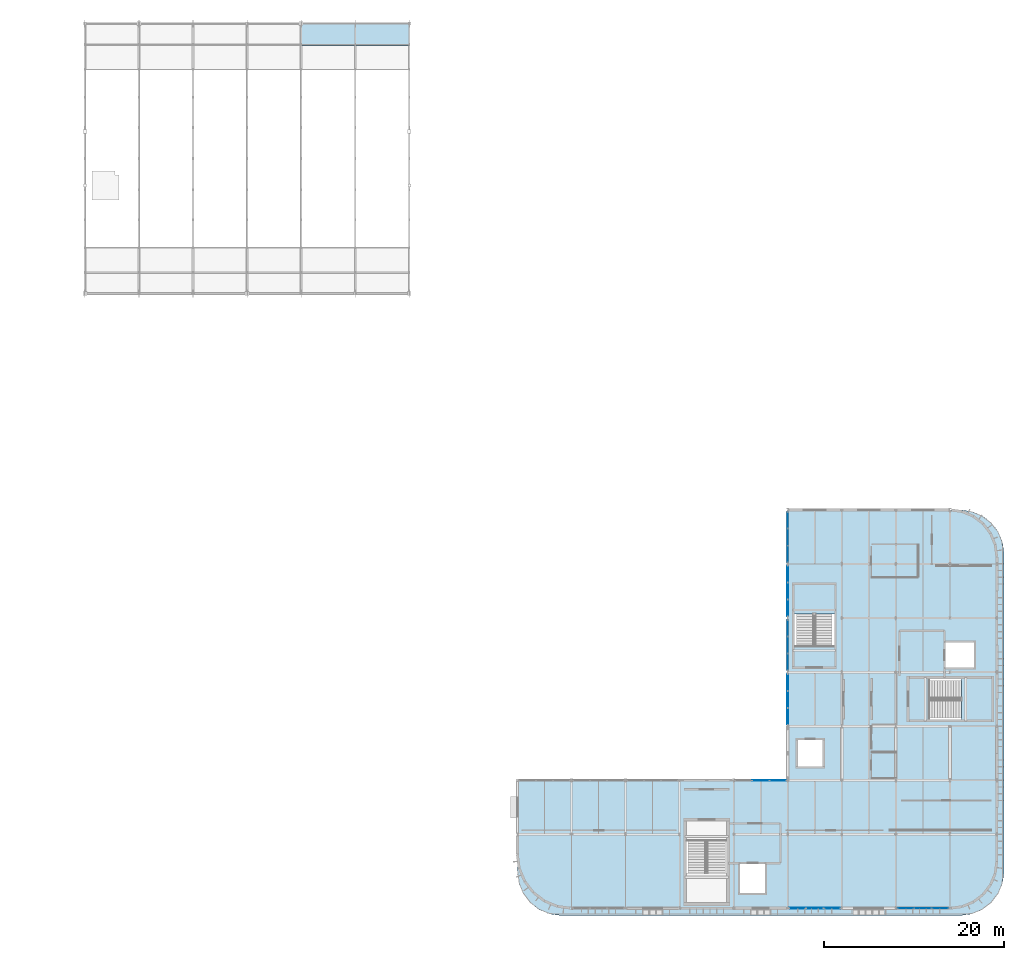
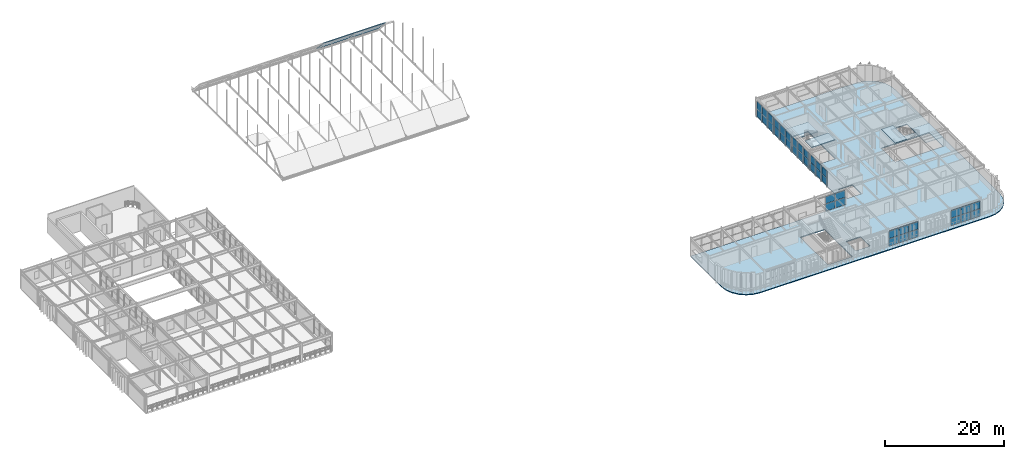
# One storey, part 45 of 63: 40 plates, 7 slabs, 9 elements without a shape of their own.
"""IFC4 building model written with IfcOpenShell, lengths in metres."""

from ifc_helpers import new_model, si_unit, direction, frame, origin, origin_2d, place, context, subcontext, project, spatial, polyline, rectangle, outline, extrude, material, layer, layer_set, type_object, element, aggregate, save


model = new_model("IFC4")

# Units and contexts
model_context = context("Model", 3, precision=1e-05, world=origin(), true_north=direction((0.0, 1.0)))
body_context = subcontext(model_context, "Body", "Model", "MODEL_VIEW")
ifc_project = project(units=[si_unit("LENGTHUNIT", "METRE"), si_unit("AREAUNIT", "SQUARE_METRE"), si_unit("VOLUMEUNIT", "CUBIC_METRE"), si_unit("PLANEANGLEUNIT", "RADIAN"), si_unit("MASSUNIT", "GRAM", prefix="KILO")], contexts=[model_context])

# Site, building, storey
site_placement = place(None, origin())
site = spatial("IfcSite", under=ifc_project, at=site_placement, CompositionType="ELEMENT")
building_placement = place(site_placement, origin())
building = spatial("IfcBuilding", under=site, at=building_placement, Name="Varnakota Square Police Headquarters", CompositionType="ELEMENT")
storey_placement = place(building_placement, frame((0.0, 0.0, 22.199951171875)))
storey = spatial("IfcBuildingStorey", under=building, at=storey_placement, Name="L05", CompositionType="ELEMENT", Elevation=22.199951171875)

# Curtain wall, plates
ifc_material_1 = material(Name="Anodised Aluminium Framing", Category="aluminium")
curtain_wall_type_1 = type_object("IfcCurtainWallType", Name="CW-SYS-E", PredefinedType="NOTDEFINED", material=ifc_material_1)
curtain_wall_1_placement = place(storey_placement, origin())
curtain_wall_1 = element("IfcCurtainWall", 1, at=curtain_wall_1_placement, inside=storey, type_object=curtain_wall_type_1, Name="Unitised curtain wall CWG-L05-107", PredefinedType="NOTDEFINED")
ifc_material_2 = material(Name="Solar-Control Laminated Double Glazing", Category="glass")
ifc_layer_1 = layer(ifc_material_2, 0.028076171875, Name="Solar-Control Laminated Double Glazing")
ifc_layer_set_1 = layer_set([ifc_layer_1], Name="Solar-Control Laminated Double Glazing")
plate_type_1 = type_object("IfcPlateType", Name="CWP-GLZ-28", PredefinedType="CURTAIN_PANEL", material=ifc_layer_set_1)
plate_1_placement = place(storey_placement, frame((138.0, 28.140380859375, 0.06494140625), z_axis=(0.0, 0.0, 1.0), x_axis=(0.0, 1.0, 0.0)))
plate_1 = element("IfcPlate", 2, at=plate_1_placement, type_object=plate_type_1, Name="CWG-L05-107 panel 1.1", PredefinedType="CURTAIN_PANEL", context=body_context, shape_type="SweptSolid", body=[
    extrude(rectangle(XDim=1.790771484375, YDim=0.028076171875, at=origin_2d()), origin(), (0.0, 0.0, 1.0), 1.492431640625),
])
plate_2_placement = place(storey_placement, frame((138.0, 30.012451171875, 0.06494140625), z_axis=(0.0, 0.0, 1.0), x_axis=(0.0, 1.0, 0.0)))
plate_2 = element("IfcPlate", 3, at=plate_2_placement, type_object=plate_type_1, Name="CWG-L05-107 panel 2.1", PredefinedType="CURTAIN_PANEL", context=body_context, shape_type="SweptSolid", body=[
    extrude(rectangle(XDim=1.8232421875, YDim=0.028076171875, at=origin_2d()), origin(), (0.0, 0.0, 1.0), 1.492431640625),
])
plate_3_placement = place(storey_placement, frame((138.0, 31.884521484375, 0.06494140625), z_axis=(0.0, 0.0, 1.0), x_axis=(0.0, 1.0, 0.0)))
plate_3 = element("IfcPlate", 4, at=plate_3_placement, type_object=plate_type_1, Name="CWG-L05-107 panel 3.1", PredefinedType="CURTAIN_PANEL", context=body_context, shape_type="SweptSolid", body=[
    extrude(rectangle(XDim=1.790771484375, YDim=0.028076171875, at=origin_2d()), origin(), (0.0, 0.0, 1.0), 1.492431640625),
])

curtain_wall_type_2 = type_object("IfcCurtainWallType", Name="CW-SYS-C", PredefinedType="NOTDEFINED", material=ifc_material_1)
curtain_wall_2_placement = place(storey_placement, origin())
curtain_wall_2 = element("IfcCurtainWall", 5, at=curtain_wall_2_placement, inside=storey, type_object=curtain_wall_type_2, Name="Unitised curtain wall CWG-L05-100", PredefinedType="NOTDEFINED")
ifc_material_3 = material(Name="Acoustic Laminated Double Glazing", Category="glass")
ifc_layer_2 = layer(ifc_material_3, 0.031982421875, Name="Acoustic Laminated Double Glazing")
ifc_layer_set_2 = layer_set([ifc_layer_2], Name="Acoustic Laminated Double Glazing")
plate_type_2 = type_object("IfcPlateType", Name="CWP-GLZ-32", PredefinedType="CURTAIN_PANEL", material=ifc_layer_set_2)
plate_4_placement = place(storey_placement, frame((139.10302734375, 0.800048828125, 0.06494140625), z_axis=(0.0, 0.0, 1.0), x_axis=(1.0, 0.0, 0.0)))
plate_4 = element("IfcPlate", 6, at=plate_4_placement, type_object=plate_type_2, Name="CWG-L05-100 panel 1.1", PredefinedType="CURTAIN_PANEL", context=body_context, shape_type="SweptSolid", body=[
    extrude(rectangle(XDim=1.81591796875, YDim=0.031982421875, at=origin_2d()), origin(), (0.0, 0.0, 1.0), 1.517578125),
])
plate_5_placement = place(storey_placement, frame((141.0, 0.800048828125, 0.06494140625), z_axis=(0.0, 0.0, 1.0), x_axis=(1.0, 0.0, 0.0)))
plate_5 = element("IfcPlate", 7, at=plate_5_placement, type_object=plate_type_2, Name="CWG-L05-100 panel 2.1", PredefinedType="CURTAIN_PANEL", context=body_context, shape_type="SweptSolid", body=[
    extrude(rectangle(XDim=1.848388671875, YDim=0.031982421875, at=origin_2d()), origin(), (0.0, 0.0, 1.0), 1.517578125),
])
plate_6_placement = place(storey_placement, frame((142.89697265625, 0.800048828125, 0.06494140625), z_axis=(0.0, 0.0, 1.0), x_axis=(1.0, 0.0, 0.0)))
plate_6 = element("IfcPlate", 8, at=plate_6_placement, type_object=plate_type_2, Name="CWG-L05-100 panel 3.1", PredefinedType="CURTAIN_PANEL", context=body_context, shape_type="SweptSolid", body=[
    extrude(rectangle(XDim=1.81591796875, YDim=0.031982421875, at=origin_2d()), origin(), (0.0, 0.0, 1.0), 1.517578125),
])

curtain_wall_3_placement = place(storey_placement, origin())
curtain_wall_3 = element("IfcCurtainWall", 9, at=curtain_wall_3_placement, inside=storey, type_object=curtain_wall_type_1, Name="Unitised curtain wall CWG-L05-108", PredefinedType="NOTDEFINED")
plate_7_placement = place(storey_placement, frame((138.0, 34.123779296875, 0.06494140625), z_axis=(0.0, 0.0, 1.0), x_axis=(0.0, 1.0, 0.0)))
plate_7 = element("IfcPlate", 10, at=plate_7_placement, type_object=plate_type_2, Name="CWG-L05-108 panel 1.1", PredefinedType="CURTAIN_PANEL", context=body_context, shape_type="SweptSolid", body=[
    extrude(rectangle(XDim=1.8076171875, YDim=0.031982421875, at=origin_2d()), origin(), (0.0, 0.0, 1.0), 1.492431640625),
])
plate_8_placement = place(storey_placement, frame((138.0, 36.012451171875, 0.06494140625), z_axis=(0.0, 0.0, 1.0), x_axis=(0.0, 1.0, 0.0)))
plate_8 = element("IfcPlate", 11, at=plate_8_placement, type_object=plate_type_2, Name="CWG-L05-108 panel 2.1", PredefinedType="CURTAIN_PANEL", context=body_context, shape_type="SweptSolid", body=[
    extrude(rectangle(XDim=1.840087890625, YDim=0.031982421875, at=origin_2d()), origin(), (0.0, 0.0, 1.0), 1.492431640625),
])
plate_9_placement = place(storey_placement, frame((138.0, 37.9013671875, 0.06494140625), z_axis=(0.0, 0.0, 1.0), x_axis=(0.0, 1.0, 0.0)))
plate_9 = element("IfcPlate", 12, at=plate_9_placement, type_object=plate_type_2, Name="CWG-L05-108 panel 3.1", PredefinedType="CURTAIN_PANEL", context=body_context, shape_type="SweptSolid", body=[
    extrude(rectangle(XDim=1.8076171875, YDim=0.031982421875, at=origin_2d()), origin(), (0.0, 0.0, 1.0), 1.492431640625),
])

curtain_wall_4_placement = place(storey_placement, origin())
curtain_wall_4 = element("IfcCurtainWall", 13, at=curtain_wall_4_placement, inside=storey, type_object=curtain_wall_type_2, Name="Unitised curtain wall CWG-L05-101", PredefinedType="NOTDEFINED")
ifc_material_4 = material(Name="Blast-Resistant Laminated Glazing", Category="glass")
ifc_layer_3 = layer(ifc_material_4, 0.035888671875, Name="Blast-Resistant Laminated Glazing")
ifc_layer_set_3 = layer_set([ifc_layer_3], Name="Blast-Resistant Laminated Glazing")
plate_type_3 = type_object("IfcPlateType", Name="CWP-GLZ-36", PredefinedType="CURTAIN_PANEL", material=ifc_layer_set_3)
plate_10_placement = place(storey_placement, frame((151.10302734375, 0.800048828125, 0.06494140625), z_axis=(0.0, 0.0, 1.0), x_axis=(1.0, 0.0, 0.0)))
plate_10 = element("IfcPlate", 14, at=plate_10_placement, type_object=plate_type_3, Name="CWG-L05-101 panel 1.1", PredefinedType="CURTAIN_PANEL", context=body_context, shape_type="SweptSolid", body=[
    extrude(rectangle(XDim=1.81591796875, YDim=0.035888671875, at=origin_2d()), origin(), (0.0, 0.0, 1.0), 1.517578125),
])
plate_11_placement = place(storey_placement, frame((153.0, 0.800048828125, 0.06494140625), z_axis=(0.0, 0.0, 1.0), x_axis=(1.0, 0.0, 0.0)))
plate_11 = element("IfcPlate", 15, at=plate_11_placement, type_object=plate_type_3, Name="CWG-L05-101 panel 2.1", PredefinedType="CURTAIN_PANEL", context=body_context, shape_type="SweptSolid", body=[
    extrude(rectangle(XDim=1.848388671875, YDim=0.035888671875, at=origin_2d()), origin(), (0.0, 0.0, 1.0), 1.517578125),
])
plate_12_placement = place(storey_placement, frame((154.89697265625, 0.800048828125, 0.06494140625), z_axis=(0.0, 0.0, 1.0), x_axis=(1.0, 0.0, 0.0)))
plate_12 = element("IfcPlate", 16, at=plate_12_placement, type_object=plate_type_3, Name="CWG-L05-101 panel 3.1", PredefinedType="CURTAIN_PANEL", context=body_context, shape_type="SweptSolid", body=[
    extrude(rectangle(XDim=1.81591796875, YDim=0.035888671875, at=origin_2d()), origin(), (0.0, 0.0, 1.0), 1.517578125),
])

curtain_wall_type_3 = type_object("IfcCurtainWallType", Name="CW-SYS-D", PredefinedType="NOTDEFINED", material=ifc_material_1)
curtain_wall_5_placement = place(storey_placement, origin())
curtain_wall_5 = element("IfcCurtainWall", 17, at=curtain_wall_5_placement, inside=storey, type_object=curtain_wall_type_3, Name="Unitised curtain wall CWG-L05-105", PredefinedType="NOTDEFINED")
plate_13_placement = place(storey_placement, frame((135.0, 15.0, 0.06494140625), z_axis=(0.0, 0.0, 1.0), x_axis=(1.0, 0.0, 0.0)))
plate_13 = element("IfcPlate", 18, at=plate_13_placement, type_object=plate_type_3, Name="CWG-L05-105 panel 2.1", PredefinedType="CURTAIN_PANEL", context=body_context, shape_type="SweptSolid", body=[
    extrude(rectangle(XDim=1.848388671875, YDim=0.035888671875, at=origin_2d()), origin(), (0.0, 0.0, 1.0), 1.467529296875),
])
plate_14_placement = place(storey_placement, frame((136.89697265625, 15.0, 0.06494140625), z_axis=(0.0, 0.0, 1.0), x_axis=(1.0, 0.0, 0.0)))
plate_14 = element("IfcPlate", 19, at=plate_14_placement, type_object=plate_type_3, Name="CWG-L05-105 panel 3.1", PredefinedType="CURTAIN_PANEL", context=body_context, shape_type="SweptSolid", body=[
    extrude(rectangle(XDim=1.81591796875, YDim=0.035888671875, at=origin_2d()), origin(), (0.0, 0.0, 1.0), 1.467529296875),
])

curtain_wall_6_placement = place(storey_placement, origin())
curtain_wall_6 = element("IfcCurtainWall", 20, at=curtain_wall_6_placement, inside=storey, type_object=curtain_wall_type_1, Name="Unitised curtain wall CWG-L05-109", PredefinedType="NOTDEFINED")
plate_15_placement = place(storey_placement, frame((138.0, 40.094482421875, 0.06494140625), z_axis=(0.0, 0.0, 1.0), x_axis=(0.0, 1.0, 0.0)))
plate_15 = element("IfcPlate", 21, at=plate_15_placement, type_object=plate_type_3, Name="CWG-L05-109 panel 1.1", PredefinedType="CURTAIN_PANEL", context=body_context, shape_type="SweptSolid", body=[
    extrude(rectangle(XDim=1.799072265625, YDim=0.035888671875, at=origin_2d()), origin(), (0.0, 0.0, 1.0), 1.517578125),
])
plate_16_placement = place(storey_placement, frame((138.0, 41.97509765625, 0.06494140625), z_axis=(0.0, 0.0, 1.0), x_axis=(0.0, 1.0, 0.0)))
plate_16 = element("IfcPlate", 22, at=plate_16_placement, type_object=plate_type_3, Name="CWG-L05-109 panel 2.1", PredefinedType="CURTAIN_PANEL", context=body_context, shape_type="SweptSolid", body=[
    extrude(rectangle(XDim=1.831787109375, YDim=0.035888671875, at=origin_2d()), origin(), (0.0, 0.0, 1.0), 1.517578125),
])
plate_17_placement = place(storey_placement, frame((138.0, 43.85546875, 0.06494140625), z_axis=(0.0, 0.0, 1.0), x_axis=(0.0, 1.0, 0.0)))
plate_17 = element("IfcPlate", 23, at=plate_17_placement, type_object=plate_type_3, Name="CWG-L05-109 panel 3.1", PredefinedType="CURTAIN_PANEL", context=body_context, shape_type="SweptSolid", body=[
    extrude(rectangle(XDim=1.799072265625, YDim=0.035888671875, at=origin_2d()), origin(), (0.0, 0.0, 1.0), 1.517578125),
])

curtain_wall_7_placement = place(storey_placement, origin())
curtain_wall_7 = element("IfcCurtainWall", 24, at=curtain_wall_7_placement, inside=storey, type_object=curtain_wall_type_1, Name="Unitised curtain wall CWG-L05-106", PredefinedType="NOTDEFINED")
ifc_material_5 = material(Name="Triple-Glazed Clean-Lab Vision Unit", Category="aluminium")
ifc_layer_4 = layer(ifc_material_5, 0.0419921875, Name="Triple-Glazed Clean-Lab Vision Unit")
ifc_layer_set_4 = layer_set([ifc_layer_4], Name="Triple-Glazed Clean-Lab Vision Unit")
plate_type_4 = type_object("IfcPlateType", Name="CWP-GLZ-42", PredefinedType="CURTAIN_PANEL", material=ifc_layer_set_4)
plate_18_placement = place(storey_placement, frame((138.0, 22.094482421875, 0.06494140625), z_axis=(0.0, 0.0, 1.0), x_axis=(0.0, 1.0, 0.0)))
plate_18 = element("IfcPlate", 25, at=plate_18_placement, type_object=plate_type_4, Name="CWG-L05-106 panel 1.1", PredefinedType="CURTAIN_PANEL", context=body_context, shape_type="SweptSolid", body=[
    extrude(rectangle(XDim=1.799072265625, YDim=0.0419921875, at=origin_2d()), origin(), (0.0, 0.0, 1.0), 1.492431640625),
])
plate_19_placement = place(storey_placement, frame((138.0, 23.97509765625, 0.06494140625), z_axis=(0.0, 0.0, 1.0), x_axis=(0.0, 1.0, 0.0)))
plate_19 = element("IfcPlate", 26, at=plate_19_placement, type_object=plate_type_4, Name="CWG-L05-106 panel 2.1", PredefinedType="CURTAIN_PANEL", context=body_context, shape_type="SweptSolid", body=[
    extrude(rectangle(XDim=1.831787109375, YDim=0.0419921875, at=origin_2d()), origin(), (0.0, 0.0, 1.0), 1.492431640625),
])
plate_20_placement = place(storey_placement, frame((138.0, 25.85546875, 0.06494140625), z_axis=(0.0, 0.0, 1.0), x_axis=(0.0, 1.0, 0.0)))
plate_20 = element("IfcPlate", 27, at=plate_20_placement, type_object=plate_type_4, Name="CWG-L05-106 panel 3.1", PredefinedType="CURTAIN_PANEL", context=body_context, shape_type="SweptSolid", body=[
    extrude(rectangle(XDim=1.799072265625, YDim=0.0419921875, at=origin_2d()), origin(), (0.0, 0.0, 1.0), 1.492431640625),
])

# Plate
ifc_material_6 = material(Name="Insulated Anodised Aluminium Spandrel Panel", Category="aluminium")
ifc_layer_5 = layer(ifc_material_6, 0.050048828125, Name="Insulated Anodised Aluminium Spandrel Panel")
ifc_layer_set_5 = layer_set([ifc_layer_5], Name="Insulated Anodised Aluminium Spandrel Panel")
plate_type_5 = type_object("IfcPlateType", Name="CWP-SPN-50", PredefinedType="CURTAIN_PANEL", material=ifc_layer_set_5)
plate_21_placement = place(storey_placement, frame((151.10302734375, 0.800048828125, 1.6474609375), z_axis=(0.0, 0.0, 1.0), x_axis=(1.0, 0.0, 0.0)))
plate_21 = element("IfcPlate", 28, at=plate_21_placement, type_object=plate_type_5, Name="CWG-L05-101 panel 1.2", PredefinedType="CURTAIN_PANEL", context=body_context, shape_type="SweptSolid", body=[
    extrude(rectangle(XDim=1.81591796875, YDim=0.050048828125, at=origin_2d()), origin(), (0.0, 0.0, 1.0), 1.517578125),
])

plate_22_placement = place(storey_placement, frame((153.0, 0.800048828125, 1.6474609375), z_axis=(0.0, 0.0, 1.0), x_axis=(1.0, 0.0, 0.0)))
plate_22 = element("IfcPlate", 29, at=plate_22_placement, type_object=plate_type_5, Name="CWG-L05-101 panel 2.2", PredefinedType="CURTAIN_PANEL", context=body_context, shape_type="SweptSolid", body=[
    extrude(rectangle(XDim=1.848388671875, YDim=0.050048828125, at=origin_2d()), origin(), (0.0, 0.0, 1.0), 1.517578125),
])

plate_23_placement = place(storey_placement, frame((154.89697265625, 0.800048828125, 1.6474609375), z_axis=(0.0, 0.0, 1.0), x_axis=(1.0, 0.0, 0.0)))
plate_23 = element("IfcPlate", 30, at=plate_23_placement, type_object=plate_type_5, Name="CWG-L05-101 panel 3.2", PredefinedType="CURTAIN_PANEL", context=body_context, shape_type="SweptSolid", body=[
    extrude(rectangle(XDim=1.81591796875, YDim=0.050048828125, at=origin_2d()), origin(), (0.0, 0.0, 1.0), 1.517578125),
])

aggregate(curtain_wall_4, [plate_10, plate_21, plate_11, plate_22, plate_12, plate_23])

plate_24_placement = place(storey_placement, frame((135.0, 15.0, 1.59765625), z_axis=(0.0, 0.0, 1.0), x_axis=(1.0, 0.0, 0.0)))
plate_24 = element("IfcPlate", 31, at=plate_24_placement, type_object=plate_type_5, Name="CWG-L05-105 panel 2.2", PredefinedType="CURTAIN_PANEL", context=body_context, shape_type="SweptSolid", body=[
    extrude(rectangle(XDim=1.848388671875, YDim=0.050048828125, at=origin_2d()), origin(), (0.0, 0.0, 1.0), 1.467529296875),
])

plate_25_placement = place(storey_placement, frame((136.89697265625, 15.0, 1.59765625), z_axis=(0.0, 0.0, 1.0), x_axis=(1.0, 0.0, 0.0)))
plate_25 = element("IfcPlate", 32, at=plate_25_placement, type_object=plate_type_5, Name="CWG-L05-105 panel 3.2", PredefinedType="CURTAIN_PANEL", context=body_context, shape_type="SweptSolid", body=[
    extrude(rectangle(XDim=1.81591796875, YDim=0.050048828125, at=origin_2d()), origin(), (0.0, 0.0, 1.0), 1.467529296875),
])

aggregate(curtain_wall_5, [plate_13, plate_24, plate_14, plate_25])

plate_26_placement = place(storey_placement, frame((138.0, 28.140380859375, 1.62255859375), z_axis=(0.0, 0.0, 1.0), x_axis=(0.0, 1.0, 0.0)))
plate_26 = element("IfcPlate", 33, at=plate_26_placement, type_object=plate_type_5, Name="CWG-L05-107 panel 1.2", PredefinedType="CURTAIN_PANEL", context=body_context, shape_type="SweptSolid", body=[
    extrude(rectangle(XDim=1.790771484375, YDim=0.050048828125, at=origin_2d()), origin(), (0.0, 0.0, 1.0), 1.492431640625),
])

plate_27_placement = place(storey_placement, frame((138.0, 30.012451171875, 1.62255859375), z_axis=(0.0, 0.0, 1.0), x_axis=(0.0, 1.0, 0.0)))
plate_27 = element("IfcPlate", 34, at=plate_27_placement, type_object=plate_type_5, Name="CWG-L05-107 panel 2.2", PredefinedType="CURTAIN_PANEL", context=body_context, shape_type="SweptSolid", body=[
    extrude(rectangle(XDim=1.8232421875, YDim=0.050048828125, at=origin_2d()), origin(), (0.0, 0.0, 1.0), 1.492431640625),
])

plate_28_placement = place(storey_placement, frame((138.0, 31.884521484375, 1.62255859375), z_axis=(0.0, 0.0, 1.0), x_axis=(0.0, 1.0, 0.0)))
plate_28 = element("IfcPlate", 35, at=plate_28_placement, type_object=plate_type_5, Name="CWG-L05-107 panel 3.2", PredefinedType="CURTAIN_PANEL", context=body_context, shape_type="SweptSolid", body=[
    extrude(rectangle(XDim=1.790771484375, YDim=0.050048828125, at=origin_2d()), origin(), (0.0, 0.0, 1.0), 1.492431640625),
])

aggregate(curtain_wall_1, [plate_1, plate_26, plate_2, plate_27, plate_3, plate_28])

plate_29_placement = place(storey_placement, frame((138.0, 40.094482421875, 1.6474609375), z_axis=(0.0, 0.0, 1.0), x_axis=(0.0, 1.0, 0.0)))
plate_29 = element("IfcPlate", 36, at=plate_29_placement, type_object=plate_type_5, Name="CWG-L05-109 panel 1.2", PredefinedType="CURTAIN_PANEL", context=body_context, shape_type="SweptSolid", body=[
    extrude(rectangle(XDim=1.799072265625, YDim=0.050048828125, at=origin_2d()), origin(), (0.0, 0.0, 1.0), 1.517578125),
])

plate_30_placement = place(storey_placement, frame((138.0, 41.97509765625, 1.6474609375), z_axis=(0.0, 0.0, 1.0), x_axis=(0.0, 1.0, 0.0)))
plate_30 = element("IfcPlate", 37, at=plate_30_placement, type_object=plate_type_5, Name="CWG-L05-109 panel 2.2", PredefinedType="CURTAIN_PANEL", context=body_context, shape_type="SweptSolid", body=[
    extrude(rectangle(XDim=1.831787109375, YDim=0.050048828125, at=origin_2d()), origin(), (0.0, 0.0, 1.0), 1.517578125),
])

plate_31_placement = place(storey_placement, frame((138.0, 43.85546875, 1.6474609375), z_axis=(0.0, 0.0, 1.0), x_axis=(0.0, 1.0, 0.0)))
plate_31 = element("IfcPlate", 38, at=plate_31_placement, type_object=plate_type_5, Name="CWG-L05-109 panel 3.2", PredefinedType="CURTAIN_PANEL", context=body_context, shape_type="SweptSolid", body=[
    extrude(rectangle(XDim=1.799072265625, YDim=0.050048828125, at=origin_2d()), origin(), (0.0, 0.0, 1.0), 1.517578125),
])

aggregate(curtain_wall_6, [plate_15, plate_29, plate_16, plate_30, plate_17, plate_31])

ifc_material_7 = material(Name="Fire-Stopped Mineral-Wool Spandrel Panel", Category="aluminium")
ifc_layer_6 = layer(ifc_material_7, 0.06005859375, Name="Fire-Stopped Mineral-Wool Spandrel Panel")
ifc_layer_set_6 = layer_set([ifc_layer_6], Name="Fire-Stopped Mineral-Wool Spandrel Panel")
plate_type_6 = type_object("IfcPlateType", Name="CWP-SPN-60", PredefinedType="CURTAIN_PANEL", material=ifc_layer_set_6)
plate_32_placement = place(storey_placement, frame((139.10302734375, 0.800048828125, 1.6474609375), z_axis=(0.0, 0.0, 1.0), x_axis=(1.0, 0.0, 0.0)))
plate_32 = element("IfcPlate", 39, at=plate_32_placement, type_object=plate_type_6, Name="CWG-L05-100 panel 1.2", PredefinedType="CURTAIN_PANEL", context=body_context, shape_type="SweptSolid", body=[
    extrude(rectangle(XDim=1.81591796875, YDim=0.06005859375, at=origin_2d()), origin(), (0.0, 0.0, 1.0), 1.517578125),
])

plate_33_placement = place(storey_placement, frame((141.0, 0.800048828125, 1.6474609375), z_axis=(0.0, 0.0, 1.0), x_axis=(1.0, 0.0, 0.0)))
plate_33 = element("IfcPlate", 40, at=plate_33_placement, type_object=plate_type_6, Name="CWG-L05-100 panel 2.2", PredefinedType="CURTAIN_PANEL", context=body_context, shape_type="SweptSolid", body=[
    extrude(rectangle(XDim=1.848388671875, YDim=0.06005859375, at=origin_2d()), origin(), (0.0, 0.0, 1.0), 1.517578125),
])

plate_34_placement = place(storey_placement, frame((142.89697265625, 0.800048828125, 1.6474609375), z_axis=(0.0, 0.0, 1.0), x_axis=(1.0, 0.0, 0.0)))
plate_34 = element("IfcPlate", 41, at=plate_34_placement, type_object=plate_type_6, Name="CWG-L05-100 panel 3.2", PredefinedType="CURTAIN_PANEL", context=body_context, shape_type="SweptSolid", body=[
    extrude(rectangle(XDim=1.81591796875, YDim=0.06005859375, at=origin_2d()), origin(), (0.0, 0.0, 1.0), 1.517578125),
])

aggregate(curtain_wall_2, [plate_4, plate_32, plate_5, plate_33, plate_6, plate_34])

plate_35_placement = place(storey_placement, frame((138.0, 22.094482421875, 1.62255859375), z_axis=(0.0, 0.0, 1.0), x_axis=(0.0, 1.0, 0.0)))
plate_35 = element("IfcPlate", 42, at=plate_35_placement, type_object=plate_type_6, Name="CWG-L05-106 panel 1.2", PredefinedType="CURTAIN_PANEL", context=body_context, shape_type="SweptSolid", body=[
    extrude(rectangle(XDim=1.799072265625, YDim=0.06005859375, at=origin_2d()), origin(), (0.0, 0.0, 1.0), 1.492431640625),
])

plate_36_placement = place(storey_placement, frame((138.0, 23.97509765625, 1.62255859375), z_axis=(0.0, 0.0, 1.0), x_axis=(0.0, 1.0, 0.0)))
plate_36 = element("IfcPlate", 43, at=plate_36_placement, type_object=plate_type_6, Name="CWG-L05-106 panel 2.2", PredefinedType="CURTAIN_PANEL", context=body_context, shape_type="SweptSolid", body=[
    extrude(rectangle(XDim=1.831787109375, YDim=0.06005859375, at=origin_2d()), origin(), (0.0, 0.0, 1.0), 1.492431640625),
])

plate_37_placement = place(storey_placement, frame((138.0, 25.85546875, 1.62255859375), z_axis=(0.0, 0.0, 1.0), x_axis=(0.0, 1.0, 0.0)))
plate_37 = element("IfcPlate", 44, at=plate_37_placement, type_object=plate_type_6, Name="CWG-L05-106 panel 3.2", PredefinedType="CURTAIN_PANEL", context=body_context, shape_type="SweptSolid", body=[
    extrude(rectangle(XDim=1.799072265625, YDim=0.06005859375, at=origin_2d()), origin(), (0.0, 0.0, 1.0), 1.492431640625),
])

aggregate(curtain_wall_7, [plate_18, plate_35, plate_19, plate_36, plate_20, plate_37])

plate_38_placement = place(storey_placement, frame((138.0, 34.123779296875, 1.62255859375), z_axis=(0.0, 0.0, 1.0), x_axis=(0.0, 1.0, 0.0)))
plate_38 = element("IfcPlate", 45, at=plate_38_placement, type_object=plate_type_6, Name="CWG-L05-108 panel 1.2", PredefinedType="CURTAIN_PANEL", context=body_context, shape_type="SweptSolid", body=[
    extrude(rectangle(XDim=1.8076171875, YDim=0.06005859375, at=origin_2d()), origin(), (0.0, 0.0, 1.0), 1.492431640625),
])

plate_39_placement = place(storey_placement, frame((138.0, 36.012451171875, 1.62255859375), z_axis=(0.0, 0.0, 1.0), x_axis=(0.0, 1.0, 0.0)))
plate_39 = element("IfcPlate", 46, at=plate_39_placement, type_object=plate_type_6, Name="CWG-L05-108 panel 2.2", PredefinedType="CURTAIN_PANEL", context=body_context, shape_type="SweptSolid", body=[
    extrude(rectangle(XDim=1.840087890625, YDim=0.06005859375, at=origin_2d()), origin(), (0.0, 0.0, 1.0), 1.492431640625),
])

plate_40_placement = place(storey_placement, frame((138.0, 37.9013671875, 1.62255859375), z_axis=(0.0, 0.0, 1.0), x_axis=(0.0, 1.0, 0.0)))
plate_40 = element("IfcPlate", 47, at=plate_40_placement, type_object=plate_type_6, Name="CWG-L05-108 panel 3.2", PredefinedType="CURTAIN_PANEL", context=body_context, shape_type="SweptSolid", body=[
    extrude(rectangle(XDim=1.8076171875, YDim=0.06005859375, at=origin_2d()), origin(), (0.0, 0.0, 1.0), 1.492431640625),
])

aggregate(curtain_wall_3, [plate_7, plate_38, plate_8, plate_39, plate_9, plate_40])

# Slabs
ifc_material_8 = material(Name="Concrete M40", Category="concrete")
ifc_layer_7 = layer(ifc_material_8, 0.179931640625, Name="Concrete M40")
ifc_layer_set_7 = layer_set([ifc_layer_7], Name="Concrete M40")
slab_type_1 = type_object("IfcSlabType", Name="SL-COMP-180", PredefinedType="FLOOR", material=ifc_layer_set_7)
slab_1_placement = place(storey_placement, frame((0.0, 0.0, -0.179931640625)))
element("IfcSlab", 48, at=slab_1_placement, inside=storey, type_object=slab_type_1, Name="L05 Special Investigation Division Slab", PredefinedType="FLOOR", context=body_context, shape_type="SweptSolid", body=[
    extrude(outline(polyline([(108.0, 4.800048828125), (108.16357421875, 3.5576171875), (108.64306640625, 2.39990234375), (109.406005859375, 1.406005859375), (110.39990234375, 0.64306640625), (111.5576171875, 0.16357421875), (112.800048828125, 0.0), (157.199951171875, 0.0), (158.4423828125, 0.16357421875), (159.60009765625, 0.64306640625), (160.593994140625, 1.406005859375), (161.35693359375, 2.39990234375), (161.83642578125, 3.5576171875), (162.0, 4.800048828125), (162.0, 40.199951171875), (161.83642578125, 41.4423828125), (161.35693359375, 42.60009765625), (160.593994140625, 43.593994140625), (159.60009765625, 44.35693359375), (158.4423828125, 44.83642578125), (157.199951171875, 45.0), (138.0, 45.0), (138.0, 15.0), (108.0, 15.0), (108.0, 4.800048828125)]), holes=[polyline([(126.655029296875, 1.304931640625), (131.344970703125, 1.304931640625), (131.344970703125, 10.594970703125), (126.655029296875, 10.594970703125), (126.655029296875, 1.304931640625)]), polyline([(132.715087890625, 2.514892578125), (135.485107421875, 2.514892578125), (135.485107421875, 5.68505859375), (132.715087890625, 5.68505859375), (132.715087890625, 2.514892578125)]), polyline([(151.405029296875, 21.655029296875), (160.695068359375, 21.655029296875), (160.695068359375, 26.344970703125), (151.405029296875, 26.344970703125), (151.405029296875, 21.655029296875)]), polyline([(155.514892578125, 27.514892578125), (158.68505859375, 27.514892578125), (158.68505859375, 30.284912109375), (155.514892578125, 30.284912109375), (155.514892578125, 27.514892578125)]), polyline([(138.655029296875, 27.554931640625), (143.2451171875, 27.554931640625), (143.2451171875, 36.7451171875), (138.655029296875, 36.7451171875), (138.655029296875, 27.554931640625)]), polyline([(139.114990234375, 16.514892578125), (141.885009765625, 16.514892578125), (141.885009765625, 19.485107421875), (139.114990234375, 19.485107421875), (139.114990234375, 16.514892578125)])]), origin(), (0.0, 0.0, 1.0), 0.179931640625),
])
ifc_layer_8 = layer(ifc_material_8, 0.139892578125, Name="Concrete M40")
ifc_layer_set_8 = layer_set([ifc_layer_8], Name="Concrete M40")
slab_type_2 = type_object("IfcSlabType", Name="SL-VLT-140", PredefinedType="ROOF", material=ifc_layer_set_8)
for number, where, z_axis, x_axis, name in (
    (49, (84.0, 96.668212890625, 2.572998046875), (0.0, 0.740985858159, 0.671520631111), (1.0, 0.0, 0.0), "Barrel vault roof deck strip V2-B05-S10"),
    (50, (90.0, 96.668212890625, 2.572998046875), (0.0, 0.740985858159, 0.671520631111), (1.0, 0.0, 0.0), "Barrel vault roof deck strip V2-B06-S10"),
):
    element("IfcSlab", number, at=place(storey_placement, frame(where, z_axis=z_axis, x_axis=x_axis)), inside=storey, type_object=slab_type_2, Name=name, PredefinedType="ROOF", context=body_context, shape_type="SweptSolid", body=[
        extrude(outline(polyline([(0.0, 0.0), (6.0, 0.0), (6.0, 3.4723983171102333), (0.0, 3.4723983171102333), (0.0, 0.0)])), origin(), (0.0, 0.0, -1.0), 0.139892578125),
    ])

# Stair, slabs
stair_type_1 = type_object("IfcStairType", Name="STR-DOG-1900", PredefinedType="USERDEFINED", material=ifc_material_8)
stair_1_placement = place(storey_placement, origin())
stair_1 = element("IfcStair", 51, at=stair_1_placement, inside=storey, type_object=stair_type_1, Name="Protected exit stair ST3 (L05)", ObjectType="TWO_RETURN_STAIR", PredefinedType="USERDEFINED")
ifc_layer_9 = layer(ifc_material_8, 0.162109375, Name="Concrete M40")
ifc_layer_set_9 = layer_set([ifc_layer_9], Name="Concrete M40")
slab_type_3 = type_object("IfcSlabType", Name="SLB-LND-1900", PredefinedType="LANDING", material=ifc_layer_set_9)
slab_2_placement = place(storey_placement, frame((0.0, 0.0, 1.7880859375)))
slab_2 = element("IfcSlab", 52, at=slab_2_placement, type_object=slab_type_3, Name="ST3-L05 landing 1", PredefinedType="LANDING", context=body_context, shape_type="SweptSolid", body=[
    extrude(outline(polyline([(138.659912109375, 33.45068359375), (143.239990234375, 33.45068359375), (143.239990234375, 36.739990234375), (138.659912109375, 36.739990234375), (138.659912109375, 33.45068359375)])), origin(), (0.0, 0.0, 1.0), 0.161865234375),
])
slab_3_placement = place(storey_placement, frame((0.0, 0.0, 3.738037109375)))
slab_3 = element("IfcSlab", 53, at=slab_3_placement, type_object=slab_type_3, Name="ST3-L05 landing 2", PredefinedType="LANDING", context=body_context, shape_type="SweptSolid", body=[
    extrude(outline(polyline([(138.659912109375, 27.56005859375), (143.239990234375, 27.56005859375), (143.239990234375, 29.85009765625), (138.659912109375, 29.85009765625), (138.659912109375, 27.56005859375)])), origin(), (0.0, 0.0, 1.0), 0.162109375),
])
aggregate(stair_1, [slab_2, slab_3])

stair_type_2 = type_object("IfcStairType", Name="STR-DOG-2000", PredefinedType="USERDEFINED", material=ifc_material_8)
stair_2_placement = place(storey_placement, origin())
stair_2 = element("IfcStair", 54, at=stair_2_placement, inside=storey, type_object=stair_type_2, Name="Protected exit stair ST2 (L05)", ObjectType="TWO_RETURN_STAIR", PredefinedType="USERDEFINED")
ifc_layer_10 = layer(ifc_material_8, 0.166015625, Name="Concrete M40")
ifc_layer_set_10 = layer_set([ifc_layer_10], Name="Concrete M40")
slab_type_4 = type_object("IfcSlabType", Name="SLB-LND-2000", PredefinedType="LANDING", material=ifc_layer_set_10)
slab_4_placement = place(storey_placement, frame((0.0, 0.0, 1.783935546875)))
slab_4 = element("IfcSlab", 55, at=slab_4_placement, type_object=slab_type_4, Name="ST2-L05 landing 1", PredefinedType="LANDING", context=body_context, shape_type="SweptSolid", body=[
    extrude(outline(polyline([(157.300537109375, 21.659912109375), (160.68994140625, 21.659912109375), (160.68994140625, 26.340087890625), (157.300537109375, 26.340087890625), (157.300537109375, 21.659912109375)])), origin(), (0.0, 0.0, 1.0), 0.166015625),
])
slab_5_placement = place(storey_placement, frame((0.0, 0.0, 3.734130859375)))
slab_5 = element("IfcSlab", 56, at=slab_5_placement, type_object=slab_type_4, Name="ST2-L05 landing 2", PredefinedType="LANDING", context=body_context, shape_type="SweptSolid", body=[
    extrude(outline(polyline([(151.409912109375, 21.659912109375), (153.699951171875, 21.659912109375), (153.699951171875, 26.340087890625), (151.409912109375, 26.340087890625), (151.409912109375, 21.659912109375)])), origin(), (0.0, 0.0, 1.0), 0.166015625),
])
aggregate(stair_2, [slab_4, slab_5])

save(model, "model.ifc")
